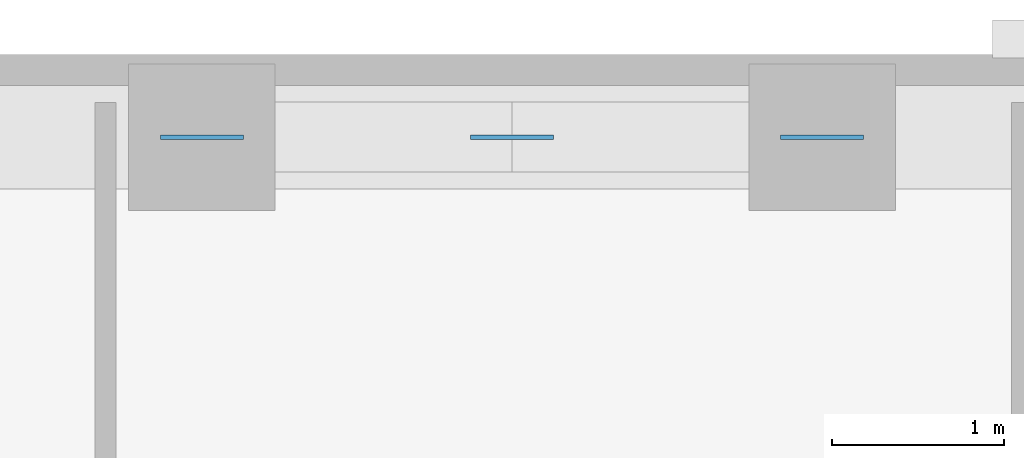
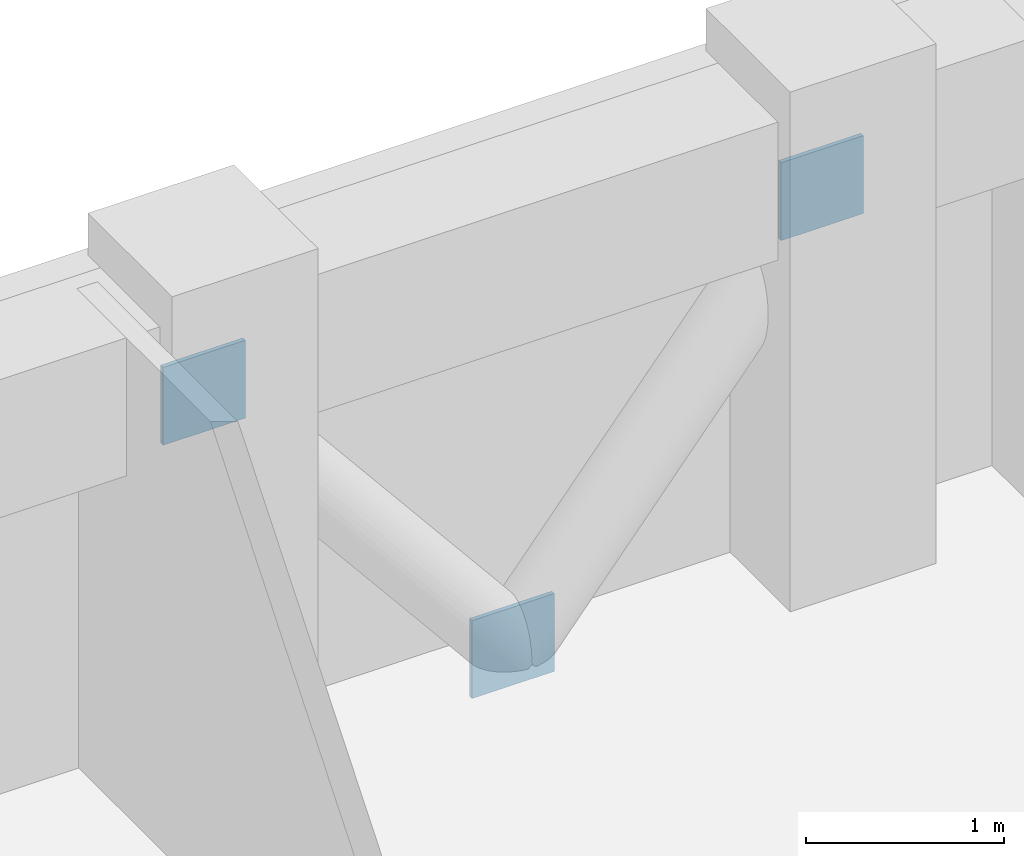
# One storey, part 10 of 12: 3 discrete accessories.
"""IFC4 building model written with IfcOpenShell, lengths in metres."""

from ifc_helpers import new_model, si_unit, derived_unit, direction, frame, origin, origin_2d, place, context, subcontext, project, spatial, rectangle, extrude, material, layer, layer_set, type_object, element, save


model = new_model("IFC4")

# Units and contexts
model_context = context("Model", 3, precision=1e-05, world=origin(), true_north=direction((0.0, 1.0)))
body_context = subcontext(model_context, "Body", "Model", "MODEL_VIEW")
ifc_project = project(units=[si_unit("LENGTHUNIT", "METRE"), si_unit("AREAUNIT", "SQUARE_METRE"), si_unit("VOLUMEUNIT", "CUBIC_METRE"), si_unit("PLANEANGLEUNIT", "RADIAN"), si_unit("MASSUNIT", "GRAM", prefix="KILO"), derived_unit("THERMALTRANSMITTANCEUNIT", [(si_unit("MASSUNIT", "GRAM", prefix="KILO"), 1), (si_unit("TIMEUNIT", "SECOND"), -3), (si_unit("THERMODYNAMICTEMPERATUREUNIT", "KELVIN"), -1)])], contexts=[model_context])

# Site, building, storey
site_placement = place(None, origin())
site = spatial("IfcSite", under=ifc_project, at=site_placement, CompositionType="ELEMENT")
building_placement = place(site_placement, origin())
building = spatial("IfcBuilding", under=site, at=building_placement, Name="Korrvale Station Residences", CompositionType="ELEMENT")
storey_placement = place(building_placement, frame((0.0, 0.0, 78.300048828125)))
storey = spatial("IfcBuildingStorey", under=building, at=storey_placement, Name="L21", CompositionType="ELEMENT", Elevation=78.300048828125)

# Discrete accessories
ifc_material = material(Name="Steel S355", Category="steel")
ifc_layer = layer(ifc_material, 0.02490234375, Name="Steel S355")
ifc_layer_set = layer_set([ifc_layer], Name="Steel S355")
discrete_accessory_type = type_object("IfcDiscreteAccessoryType", Name="ACC-GUSSET-25", PredefinedType="BRACKET", material=ifc_layer_set)
for number, where, z_axis, x_axis, name in (
    (1, (25.0, 42.820068359375, -0.219970703125), (0.0, 0.0, 1.0), (1.0, 0.0, 0.0), "L21 N Brace End Gusset Connection M"),
    (2, (23.199951171875, 42.820068359375, 1.969970703125), (0.0, 0.0, 1.0), (1.0, 0.0, 0.0), "L21 N Brace End Gusset Connection A"),
    (3, (26.800048828125, 42.820068359375, 1.969970703125), (0.0, 0.0, 1.0), (1.0, 0.0, 0.0), "L21 N Brace End Gusset Connection B"),
):
    element("IfcDiscreteAccessory", number, at=place(storey_placement, frame(where, z_axis=z_axis, x_axis=x_axis)), inside=storey, type_object=discrete_accessory_type, Name=name, PredefinedType="BRACKET", context=body_context, shape_type="SweptSolid", body=[
        extrude(rectangle(XDim=0.47998046875, YDim=0.02490234375, at=origin_2d()), origin(), (0.0, 0.0, 1.0), 0.47998046875),
    ])

save(model, "model.ifc")
